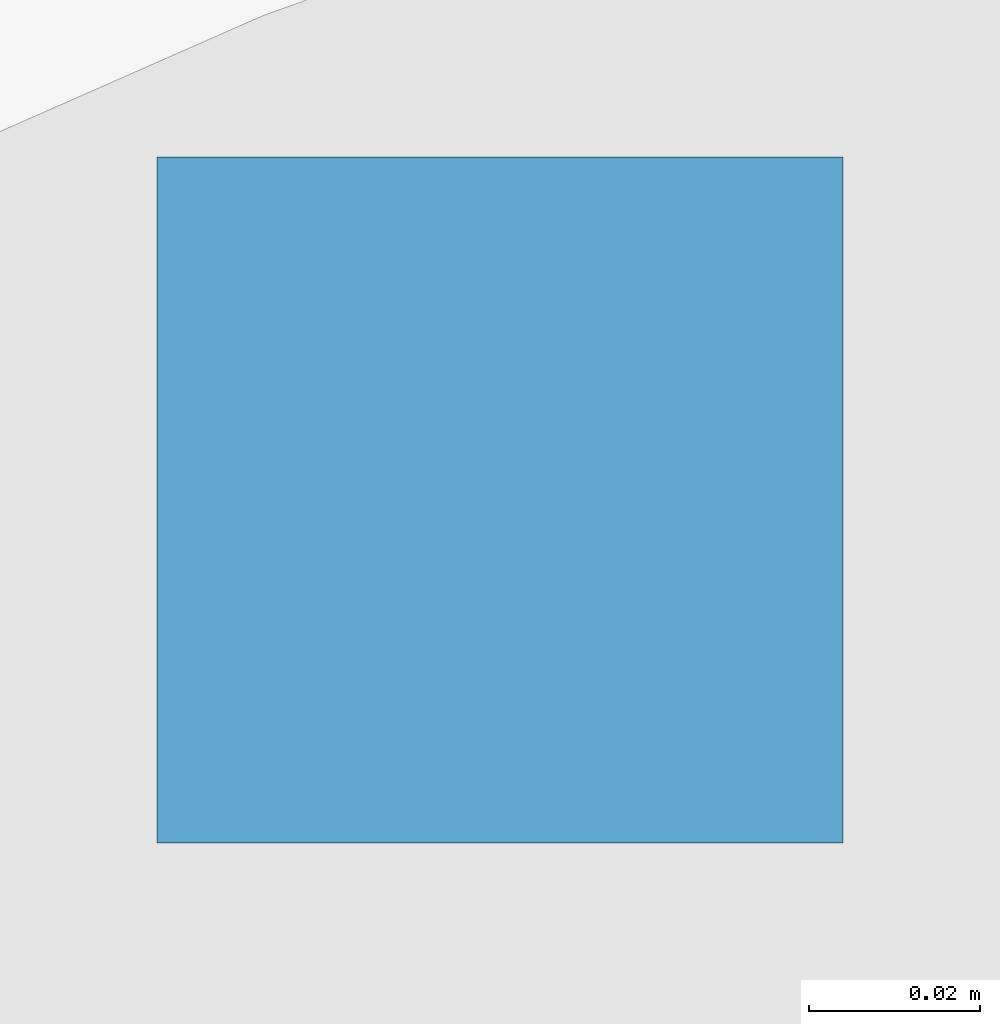
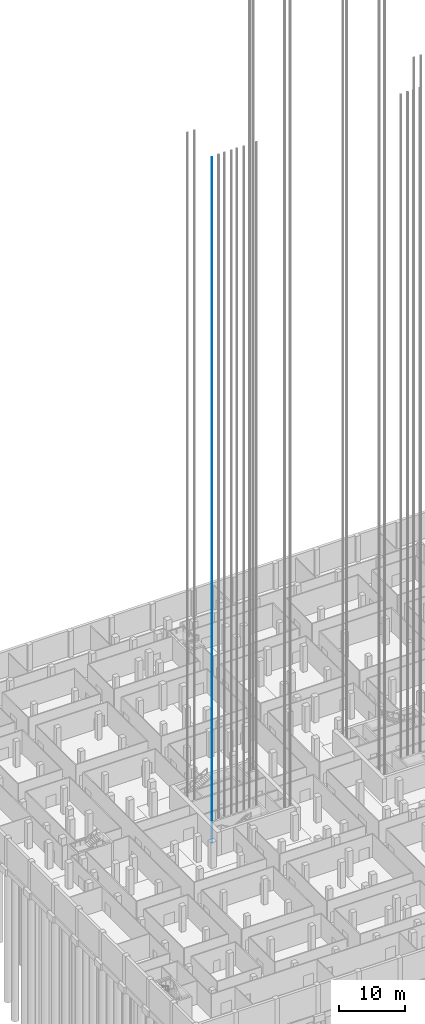
# One storey, part 24 of 54: 1 discrete accessory.
"""IFC4 building model written with IfcOpenShell, lengths in metres."""

from ifc_helpers import new_model, si_unit, direction, frame, origin, origin_2d, place, context, subcontext, project, spatial, rectangle, extrude, material, element, save


model = new_model("IFC4")

# Units and contexts
model_context = context("Model", 3, precision=1e-05, world=origin(), true_north=direction((0.0, 1.0)))
body_context = subcontext(model_context, "Body", "Model", "MODEL_VIEW")
ifc_project = project(units=[si_unit("LENGTHUNIT", "METRE"), si_unit("AREAUNIT", "SQUARE_METRE"), si_unit("VOLUMEUNIT", "CUBIC_METRE"), si_unit("PLANEANGLEUNIT", "RADIAN"), si_unit("MASSUNIT", "GRAM", prefix="KILO")], contexts=[model_context])

# Site, building, storey
site_placement = place(None, origin())
site = spatial("IfcSite", under=ifc_project, at=site_placement, CompositionType="ELEMENT")
building_placement = place(site_placement, origin())
building = spatial("IfcBuilding", under=site, at=building_placement, Name="Fustian Cross Tower", CompositionType="ELEMENT")
storey_placement = place(building_placement, frame((0.0, 0.0, -4.800048828125)))
storey = spatial("IfcBuildingStorey", under=building, at=storey_placement, Name="B1", CompositionType="ELEMENT", Elevation=-4.800048828125)

# Discrete accessory
ifc_material = material(Name="Steel S355", Category="steel")
discrete_accessory_placement = place(storey_placement, frame((-20.47509765625, -3.7099609375, 0.0), z_axis=(0.0, 0.0, 1.0), x_axis=(1.0, 0.0, 0.0)))
element("IfcDiscreteAccessory", 1, at=discrete_accessory_placement, inside=storey, material=ifc_material, Name="Lift guide rail SH1W 1", PredefinedType="NOTDEFINED", context=body_context, shape_type="SweptSolid", body=[
    extrude(rectangle(XDim=0.080078125, YDim=0.080078125, at=origin_2d()), origin(), (0.0, 0.0, 1.0), 127.14990234375),
])

save(model, "model.ifc")
